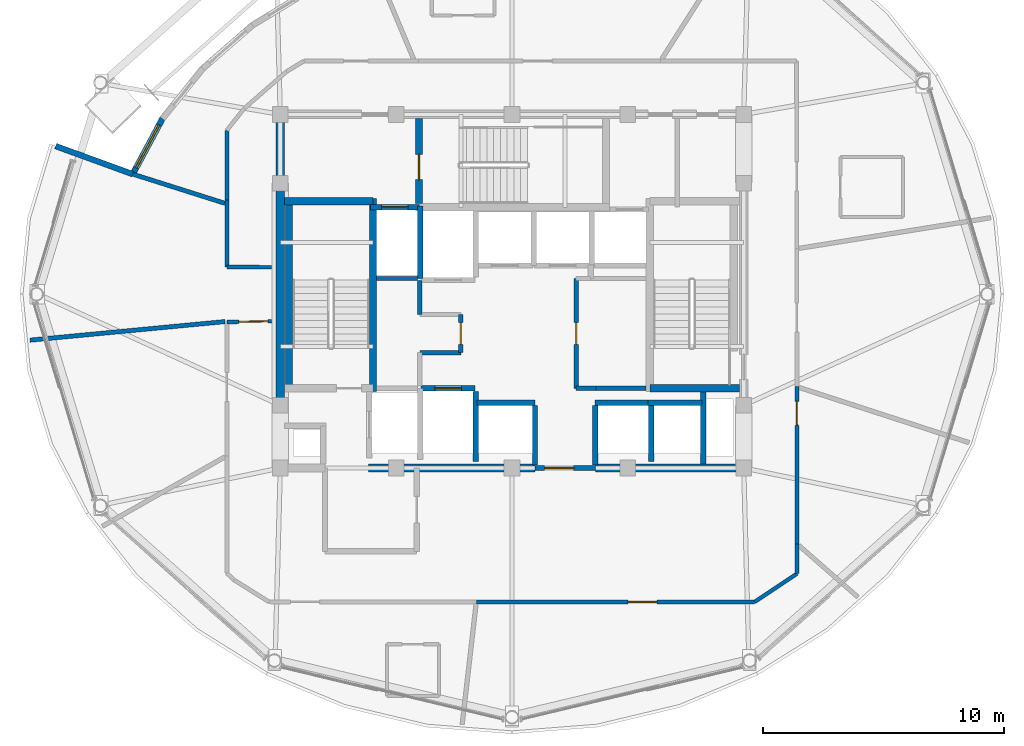
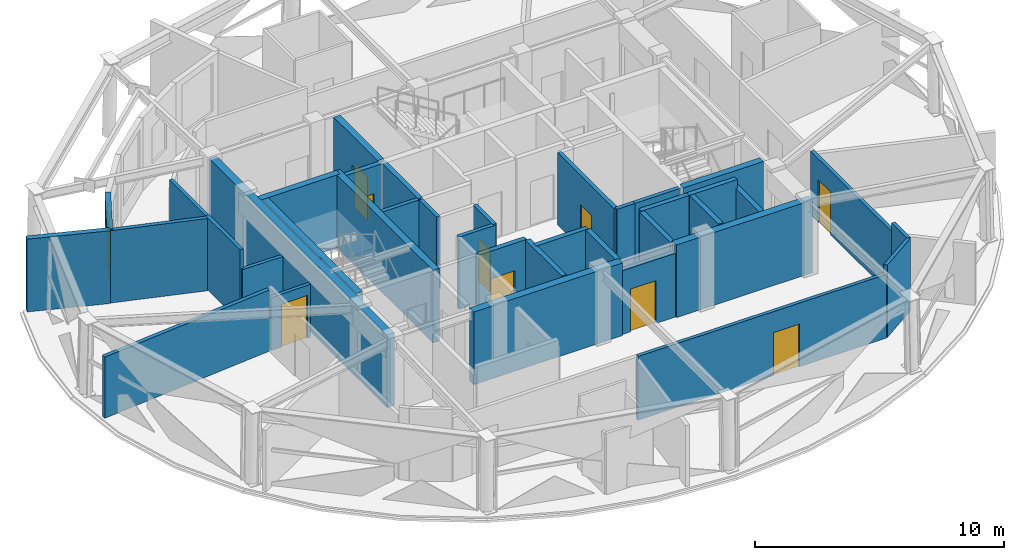
# One storey, part 8 of 14: 39 walls, 9 doors, 1 window, 10 openings.
"""IFC4 building model written with IfcOpenShell, lengths in metres."""

from ifc_helpers import new_model, si_unit, direction, frame, frame_2d, origin, place, context, subcontext, project, spatial, rectangle, extrude, material, layer, layer_set, type_object, element, fill, save


model = new_model("IFC4")

# Units and contexts
model_context = context("Model", 3, precision=1e-05, world=origin(), true_north=direction((0.0, 1.0)))
body_context = subcontext(model_context, "Body", "Model", "MODEL_VIEW")
ifc_project = project(units=[si_unit("LENGTHUNIT", "METRE"), si_unit("AREAUNIT", "SQUARE_METRE"), si_unit("VOLUMEUNIT", "CUBIC_METRE"), si_unit("PLANEANGLEUNIT", "RADIAN"), si_unit("MASSUNIT", "GRAM", prefix="KILO")], contexts=[model_context])

# Site, building, storey
site_placement = place(None, origin())
site = spatial("IfcSite", under=ifc_project, at=site_placement, CompositionType="ELEMENT")
building_placement = place(site_placement, origin())
building = spatial("IfcBuilding", under=site, at=building_placement, Name="Vantalir Tower", CompositionType="ELEMENT")
storey_placement = place(building_placement, frame((0.0, 0.0, 271.35009765625)))
storey = spatial("IfcBuildingStorey", under=building, at=storey_placement, Name="L68", CompositionType="ELEMENT", Elevation=271.35009765625)

# Walls
ifc_material_1 = material(Name="Concrete C50/60", Category="concrete")
ifc_layer_1 = layer(ifc_material_1, 0.35009765625)
ifc_layer_set_1 = layer_set([ifc_layer_1], Name="Concrete C50/60")
wall_type_1 = type_object("IfcWallType", Name="WL-CORE-350", PredefinedType="SHEAR", material=ifc_layer_set_1)
wall_1_placement = place(storey_placement, frame((25.550048828125, 17.800048828125, 0.0), z_axis=(0.0, 0.0, 1.0), x_axis=(1.0, 0.0, 0.0)))
element("IfcWall", 1, at=wall_1_placement, inside=storey, type_object=wall_type_1, Name="L68 Core Shear Wall South-Mid", PredefinedType="SHEAR", context=body_context, shape_type="SweptSolid", body=[
    extrude(rectangle(XDim=6.89990234375, YDim=0.35009765625, at=frame_2d((3.449951171875, 0.0))), origin(), (0.0, 0.0, 1.0), 3.56982421875),
])
wall_2_placement = place(storey_placement, frame((34.949951171875, 17.800048828125, 0.0), z_axis=(0.0, 0.0, 1.0), x_axis=(1.0, 0.0, 0.0)))
element("IfcWall", 2, at=wall_2_placement, inside=storey, type_object=wall_type_1, Name="L68 Core Shear Wall South-East", PredefinedType="SHEAR", context=body_context, shape_type="SweptSolid", body=[
    extrude(rectangle(XDim=6.324951171875, YDim=0.35009765625, at=frame_2d((3.16259765625, 0.0))), origin(), (0.0, 0.0, 1.0), 3.56982421875),
])
wall_3_placement = place(storey_placement, frame((21.89990234375, 17.97509765625, 0.0), z_axis=(0.0, 0.0, 1.0), x_axis=(0.0, 1.0, 0.0)))
element("IfcWall", 3, at=wall_3_placement, inside=storey, type_object=wall_type_1, Name="L68 Core Shear Wall West", PredefinedType="SHEAR", context=body_context, shape_type="SweptSolid", body=[
    extrude(rectangle(XDim=14.2998046875, YDim=0.35009765625, at=frame_2d((7.14990234375, 0.0))), origin(), (0.0, 0.0, 1.0), 3.56982421875),
])
ifc_material_2 = material(Name="Fire-rated hotel corridor acoustic partition", Category="gypsum")
ifc_layer_2 = layer(ifc_material_2, 0.159912109375)
ifc_layer_set_2 = layer_set([ifc_layer_2], Name="Fire-rated hotel corridor acoustic partition")
wall_type_2 = type_object("IfcWallType", Name="WL-CORR-160", PredefinedType="PARTITIONING", material=ifc_layer_set_2)
wall_4_placement = place(storey_placement, frame((21.544921875, 26.115966796875, 0.0), z_axis=(0.0, 0.0, 1.0), x_axis=(-0.999947421001, 0.010254522592, 0.0)))
element("IfcWall", 4, at=wall_4_placement, inside=storey, type_object=wall_type_2, Name="L68 Corridor Partition 01", PredefinedType="PARTITIONING", context=body_context, shape_type="SweptSolid", body=[
    extrude(rectangle(XDim=1.85693359375, YDim=0.159912109375, at=frame_2d((0.928466796875, 0.0))), origin(), (0.0, 0.0, 1.0), 2.594970703125),
])
wall_5_placement = place(storey_placement, frame((19.68798828125, 26.135009765625, 0.0), z_axis=(0.0, 0.0, 1.0), x_axis=(-0.000353325656, 0.99999993758, 0.0)))
element("IfcWall", 5, at=wall_5_placement, inside=storey, type_object=wall_type_2, Name="L68 Corridor Partition 02", PredefinedType="PARTITIONING", context=body_context, shape_type="SweptSolid", body=[
    extrude(rectangle(XDim=2.763916015625, YDim=0.159912109375, at=frame_2d((1.3818359375, 0.0))), origin(), (0.0, 0.0, 1.0), 3.5498046875),
])
wall_6_placement = place(storey_placement, frame((19.68701171875, 28.89892578125, 0.0), z_axis=(0.0, 0.0, 1.0), x_axis=(-0.000674649872, 0.999999772424, 0.0)))
element("IfcWall", 6, at=wall_6_placement, inside=storey, type_object=wall_type_2, Name="L68 Corridor Partition 03", PredefinedType="PARTITIONING", context=body_context, shape_type="SweptSolid", body=[
    extrude(rectangle(XDim=2.89501953125, YDim=0.159912109375, at=frame_2d((1.447509765625, 0.0))), origin(), (0.0, 0.0, 1.0), 3.5498046875),
])

# Wall, opening, door
wall_7_placement = place(storey_placement, frame((43.302978515625, 21.16796875, 0.0), z_axis=(0.0, 0.0, 1.0), x_axis=(0.000787903556, -0.999999689604, 0.0)))
wall_7 = element("IfcWall", 7, at=wall_7_placement, inside=storey, type_object=wall_type_2, Name="L68 Corridor Partition 12", PredefinedType="PARTITIONING", context=body_context, shape_type="SweptSolid", body=[
    extrude(rectangle(XDim=6.507080078125, YDim=0.159912109375, at=frame_2d((3.25341796875, 0.0))), origin(), (0.0, 0.0, 1.0), 3.1318359375),
])
opening_1_placement = place(wall_7_placement, frame((0.60498046875, 0.0, 0.0)))
opening_1 = element("IfcOpeningElement", 8, at=opening_1_placement, cuts=wall_7, Name="Opening D-GUEST", PredefinedType="OPENING", context=body_context, shape_type="SweptSolid", body=[
    extrude(rectangle(XDim=1.0, YDim=2.10009765625, at=frame_2d((0.5, 1.050048828125))), frame((0.0, 0.08984375, 0.0), z_axis=(0.0, -1.0, 0.0), x_axis=(1.0, 0.0, 0.0)), (0.0, 0.0, 1.0), 0.179931640625),
])
ifc_material_3 = material(Name="Solid-core teak veneer acoustic fire door", Category="wood")
door_type_1 = type_object("IfcDoorType", Name="DR-GUEST-ENTRY-1000", OperationType="NOTDEFINED", PredefinedType="DOOR", material=ifc_material_3)
door_1_placement = place(opening_1_placement, origin())
door_1 = element("IfcDoor", 9, at=door_1_placement, inside=storey, type_object=door_type_1, Name="L68 Executive Business Study 08 Door", OperationType="SINGLE_SWING_LEFT", OverallHeight=2.10009765625, OverallWidth=1.0, PredefinedType="DOOR", context=body_context, shape_type="SweptSolid", body=[
    extrude(rectangle(XDim=1.0, YDim=2.10009765625, at=frame_2d((0.5, 1.050048828125))), frame((0.0, 0.02490234375, 0.0), z_axis=(0.0, -1.0, 0.0), x_axis=(1.0, 0.0, 0.0)), (0.0, 0.0, 1.0), 0.050048828125),
])
fill(opening_1, door_1)

# Walls
wall_8_placement = place(storey_placement, frame((43.30810546875, 14.660888671875, 0.0), z_axis=(0.0, 0.0, 1.0), x_axis=(0.000790826166, -0.999999687297, 0.0)))
element("IfcWall", 10, at=wall_8_placement, inside=storey, type_object=wall_type_2, Name="L68 Corridor Partition 13", PredefinedType="PARTITIONING", context=body_context, shape_type="SweptSolid", body=[
    extrude(rectangle(XDim=1.23486328125, YDim=0.159912109375, at=frame_2d((0.617431640625, 0.0))), origin(), (0.0, 0.0, 1.0), 3.5498046875),
])
wall_9_placement = place(storey_placement, frame((43.30908203125, 13.426025390625, 0.0), z_axis=(0.0, 0.0, 1.0), x_axis=(-0.831179139827, -0.556004709977, 0.0)))
element("IfcWall", 11, at=wall_9_placement, inside=storey, type_object=wall_type_2, Name="L68 Corridor Partition 14", PredefinedType="PARTITIONING", context=body_context, shape_type="SweptSolid", body=[
    extrude(rectangle(XDim=2.115234375, YDim=0.159912109375, at=frame_2d((1.0576171875, 0.0))), origin(), (0.0, 0.0, 1.0), 3.5498046875),
])

# Wall, opening, door
wall_10_placement = place(storey_placement, frame((41.551025390625, 12.25, 0.0), z_axis=(0.0, 0.0, 1.0), x_axis=(-0.999999942591, 0.000338846631, 0.0)))
wall_10 = element("IfcWall", 12, at=wall_10_placement, inside=storey, type_object=wall_type_2, Name="L68 Corridor Partition 15", PredefinedType="PARTITIONING", context=body_context, shape_type="SweptSolid", body=[
    extrude(rectangle(XDim=11.528076171875, YDim=0.159912109375, at=frame_2d((5.76416015625, 0.0))), origin(), (0.0, 0.0, 1.0), 3.1318359375),
])
opening_2_placement = place(wall_10_placement, frame((4.0439453125, 0.0, 0.0)))
opening_2 = element("IfcOpeningElement", 13, at=opening_2_placement, cuts=wall_10, Name="Opening D-STE", PredefinedType="OPENING", context=body_context, shape_type="SweptSolid", body=[
    extrude(rectangle(XDim=1.199951171875, YDim=2.10009765625, at=frame_2d((0.60009765625, 1.050048828125))), frame((0.0, 0.08984375, 0.0), z_axis=(0.0, -1.0, 0.0), x_axis=(1.0, 0.0, 0.0)), (0.0, 0.0, 1.0), 0.179931640625),
])
ifc_material_4 = material(Name="Solid-core teak veneer suite entrance door", Category="wood")
door_type_2 = type_object("IfcDoorType", Name="DR-SUITE-ENTRY-1200", OperationType="NOTDEFINED", PredefinedType="DOOR", material=ifc_material_4)
door_2_placement = place(opening_2_placement, origin())
door_2 = element("IfcDoor", 14, at=door_2_placement, inside=storey, type_object=door_type_2, Name="L68 Executive Sky Boardroom 07 Door", OperationType="SINGLE_SWING_RIGHT", OverallHeight=2.10009765625, OverallWidth=1.199951171875, PredefinedType="DOOR", context=body_context, shape_type="SweptSolid", body=[
    extrude(rectangle(XDim=1.199951171875, YDim=2.10009765625, at=frame_2d((0.60009765625, 1.050048828125))), frame((0.0, 0.02490234375, 0.0), z_axis=(0.0, -1.0, 0.0), x_axis=(1.0, 0.0, 0.0)), (0.0, 0.0, 1.0), 0.050048828125),
])
fill(opening_2, door_2)

wall_11_placement = place(storey_placement, frame((19.68505859375, 23.85009765625, 0.0), z_axis=(0.0, 0.0, 1.0), x_axis=(0.999852179606, 0.017193572529, 0.0)))
wall_11 = element("IfcWall", 15, at=wall_11_placement, inside=storey, type_object=wall_type_2, Name="L68 Corridor Partition 21", PredefinedType="PARTITIONING", context=body_context, shape_type="SweptSolid", body=[
    extrude(rectangle(XDim=1.860107421875, YDim=0.159912109375, at=frame_2d((0.93017578125, 0.0))), origin(), (0.0, 0.0, 1.0), 2.594970703125),
])
opening_3_placement = place(wall_11_placement, frame((0.5, 0.0, 0.0)))
opening_3 = element("IfcOpeningElement", 16, at=opening_3_placement, cuts=wall_11, Name="Opening D-STE", PredefinedType="OPENING", context=body_context, shape_type="SweptSolid", body=[
    extrude(rectangle(XDim=1.199951171875, YDim=2.10009765625, at=frame_2d((0.60009765625, 1.050048828125))), frame((0.0, 0.08984375, 0.0), z_axis=(0.0, -1.0, 0.0), x_axis=(1.0, 0.0, 0.0)), (0.0, 0.0, 1.0), 0.179931640625),
])
door_3_placement = place(opening_3_placement, origin())
door_3 = element("IfcDoor", 17, at=door_3_placement, inside=storey, type_object=door_type_2, Name="L68 Club Reading Lounge 04 Door", OperationType="SINGLE_SWING_LEFT", OverallHeight=2.10009765625, OverallWidth=1.199951171875, PredefinedType="DOOR", context=body_context, shape_type="SweptSolid", body=[
    extrude(rectangle(XDim=1.199951171875, YDim=2.10009765625, at=frame_2d((0.60009765625, 1.050048828125))), frame((0.0, 0.02490234375, 0.0), z_axis=(0.0, -1.0, 0.0), x_axis=(1.0, 0.0, 0.0)), (0.0, 0.0, 1.0), 0.050048828125),
])
fill(opening_3, door_3)

# Wall
ifc_material_5 = material(Name="Precast concrete C40/50 insulated sky-garden wall", Category="concrete")
ifc_layer_3 = layer(ifc_material_5, 0.239990234375)
ifc_layer_set_3 = layer_set([ifc_layer_3], Name="Precast concrete C40/50 insulated sky-garden wall")
wall_type_3 = type_object("IfcWallType", Name="WL-EXT-SG-240", PredefinedType="SOLIDWALL", material=ifc_layer_set_3)
wall_12_placement = place(storey_placement, frame((15.7880859375, 29.97607421875, 0.0), z_axis=(0.0, 0.0, 1.0), x_axis=(-0.939699046647, 0.342002487902, 0.0)))
element("IfcWall", 18, at=wall_12_placement, inside=storey, type_object=wall_type_3, Name="L68 SG4 Sky-Garden Return Wall B", PredefinedType="SOLIDWALL", context=body_context, shape_type="SweptSolid", body=[
    extrude(rectangle(XDim=3.400146484375, YDim=0.239990234375, at=frame_2d((1.7001953125, 0.0))), origin(), (0.0, 0.0, 1.0), 3.56982421875),
])

# Wall, opening, window
wall_13_placement = place(storey_placement, frame((17.02001953125, 32.27392578125, 0.0), z_axis=(0.0, 0.0, 1.0), x_axis=(-0.472502026954, -0.881329583371, 0.0)))
wall_13 = element("IfcWall", 19, at=wall_13_placement, inside=storey, type_object=wall_type_3, Name="L68 SG4 Sky-Garden Lounge Wall 5", PredefinedType="SOLIDWALL", context=body_context, shape_type="SweptSolid", body=[
    extrude(rectangle(XDim=2.607177734375, YDim=0.239990234375, at=frame_2d((1.3037109375, 0.0))), origin(), (0.0, 0.0, 1.0), 3.56982421875),
])
opening_4_placement = place(wall_13_placement, frame((0.303955078125, 0.0, 0.85009765625)))
opening_4 = element("IfcOpeningElement", 20, at=opening_4_placement, cuts=wall_13, Name="Opening WN-3", PredefinedType="OPENING", context=body_context, shape_type="SweptSolid", body=[
    extrude(rectangle(XDim=2.0, YDim=2.39990234375, at=frame_2d((1.0, 1.199951171875))), frame((0.0, 0.1298828125, 0.0), z_axis=(0.0, -1.0, 0.0), x_axis=(1.0, 0.0, 0.0)), (0.0, 0.0, 1.0), 0.260009765625),
])
ifc_material_6 = material(Name="Double-silver Low-E sky-garden lounge window", Category="glass")
window_type = type_object("IfcWindowType", Name="WIN-SG-2000x2400", PartitioningType="SINGLE_PANEL", PredefinedType="WINDOW", material=ifc_material_6)
window_placement = place(opening_4_placement, origin())
window = element("IfcWindow", 21, at=window_placement, inside=storey, type_object=window_type, Name="L68 SG4 Sky-Garden Window 5", OverallHeight=2.39990234375, OverallWidth=2.0, PartitioningType="SINGLE_PANEL", PredefinedType="WINDOW", context=body_context, shape_type="SweptSolid", body=[
    extrude(rectangle(XDim=2.0, YDim=2.39990234375, at=frame_2d((1.0, 1.199951171875))), frame((0.0, 0.030029296875, 0.0), z_axis=(0.0, -1.0, 0.0), x_axis=(1.0, 0.0, 0.0)), (0.0, 0.0, 1.0), 0.06005859375),
])
fill(opening_4, window)

# Walls
ifc_material_7 = material(Name="Concrete blockwork with fireboard lining", Category="masonry")
ifc_layer_4 = layer(ifc_material_7, 0.219970703125)
ifc_layer_set_4 = layer_set([ifc_layer_4], Name="Concrete blockwork with fireboard lining")
wall_type_4 = type_object("IfcWallType", Name="WL-FFL-220", PredefinedType="PARTITIONING", material=ifc_layer_set_4)
wall_14_placement = place(storey_placement, frame((30.0, 18.080078125, 0.0), z_axis=(0.0, 0.0, 1.0), x_axis=(0.0, 1.0, 0.0)))
element("IfcWall", 22, at=wall_14_placement, inside=storey, type_object=wall_type_4, Name="L68 Service Lift SV1 East Shaft Wall", PredefinedType="PARTITIONING", context=body_context, shape_type="SweptSolid", body=[
    extrude(rectangle(XDim=2.89990234375, YDim=0.219970703125, at=frame_2d((1.449951171875, 0.0))), origin(), (0.0, 0.0, 1.0), 3.544921875),
])
for number, where, z_axis, x_axis, name in (
    (23, (32.449951171875, 17.919921875, 0.0), (0.0, 0.0, 1.0), (0.0, 1.0, 0.0), "L68 Shuttle Lift PL-X1 East Shaft Cheek"),
    (24, (34.949951171875, 17.919921875, 0.0), (0.0, 0.0, 1.0), (0.0, 1.0, 0.0), "L68 Shuttle Lift PL-X3 West Shaft Cheek"),
):
    element("IfcWall", number, at=place(storey_placement, frame(where, z_axis=z_axis, x_axis=x_axis)), inside=storey, type_object=wall_type_4, Name=name, PredefinedType="PARTITIONING", context=body_context, shape_type="SweptSolid", body=[
        extrude(rectangle(XDim=2.469970703125, YDim=0.219970703125, at=frame_2d((1.23486328125, 0.0))), origin(), (0.0, 0.0, 1.0), 3.544921875),
    ])
wall_15_placement = place(storey_placement, frame((37.27490234375, 18.080078125, 0.0), z_axis=(0.0, 0.0, 1.0), x_axis=(0.0, 1.0, 0.0)))
element("IfcWall", 25, at=wall_15_placement, inside=storey, type_object=wall_type_4, Name="L68 Shuttle Lift PL-X2/X3 Shaft Divider", PredefinedType="PARTITIONING", context=body_context, shape_type="SweptSolid", body=[
    extrude(rectangle(XDim=2.309814453125, YDim=0.219970703125, at=frame_2d((1.15478515625, 0.0))), origin(), (0.0, 0.0, 1.0), 3.544921875),
])

# Wall, opening, door
wall_16_placement = place(storey_placement, frame((32.449951171875, 17.800048828125, 0.0), z_axis=(0.0, 0.0, 1.0), x_axis=(1.0, 0.0, 0.0)))
wall_16 = element("IfcWall", 26, at=wall_16_placement, inside=storey, type_object=wall_type_4, Name="L68 Passenger Lift Lobby South Wall", PredefinedType="PARTITIONING", context=body_context, shape_type="SweptSolid", body=[
    extrude(rectangle(XDim=2.5, YDim=0.219970703125, at=frame_2d((1.25, 0.0))), origin(), (0.0, 0.0, 1.0), 3.1318359375),
])
opening_5_placement = place(wall_16_placement, frame((0.39990234375, 0.0, 0.0)))
opening_5 = element("IfcOpeningElement", 27, at=opening_5_placement, cuts=wall_16, Name="Opening D-STE", PredefinedType="OPENING", context=body_context, shape_type="SweptSolid", body=[
    extrude(rectangle(XDim=1.199951171875, YDim=2.10009765625, at=frame_2d((0.60009765625, 1.050048828125))), frame((0.0, 0.119873046875, 0.0), z_axis=(0.0, -1.0, 0.0), x_axis=(1.0, 0.0, 0.0)), (0.0, 0.0, 1.0), 0.239990234375),
])
door_4_placement = place(opening_5_placement, origin())
door_4 = element("IfcDoor", 28, at=door_4_placement, inside=storey, type_object=door_type_2, Name="L68 Passenger Lift Lobby Concourse Door", OperationType="SINGLE_SWING_LEFT", OverallHeight=2.10009765625, OverallWidth=1.199951171875, PredefinedType="DOOR", context=body_context, shape_type="SweptSolid", body=[
    extrude(rectangle(XDim=1.199951171875, YDim=2.10009765625, at=frame_2d((0.60009765625, 1.050048828125))), frame((0.0, 0.02490234375, 0.0), z_axis=(0.0, -1.0, 0.0), x_axis=(1.0, 0.0, 0.0)), (0.0, 0.0, 1.0), 0.050048828125),
])
fill(opening_5, door_4)

# Wall
wall_17_placement = place(storey_placement, frame((39.419921875, 17.97509765625, 0.0), z_axis=(0.0, 0.0, 1.0), x_axis=(0.0, 1.0, 0.0)))
element("IfcWall", 29, at=wall_17_placement, inside=storey, type_object=wall_type_4, Name="L68 East MEP Riser Wall W", PredefinedType="PARTITIONING", context=body_context, shape_type="SweptSolid", body=[
    extrude(rectangle(XDim=2.974853515625, YDim=0.219970703125, at=frame_2d((1.4873046875, 0.0))), origin(), (0.0, 0.0, 1.0), 3.1318359375),
])

# Wall, opening, door
wall_18_placement = place(storey_placement, frame((25.639892578125, 28.610107421875, 0.0), z_axis=(0.0, 0.0, 1.0), x_axis=(1.0, 0.0, 0.0)))
wall_18 = element("IfcWall", 30, at=wall_18_placement, inside=storey, type_object=wall_type_4, Name="L68 Lift FL2 Shaft Front Wall", PredefinedType="PARTITIONING", context=body_context, shape_type="SweptSolid", body=[
    extrude(rectangle(XDim=2.02001953125, YDim=0.219970703125, at=frame_2d((1.010009765625, 0.0))), origin(), (0.0, 0.0, 1.0), 3.5498046875),
])
opening_6_placement = place(wall_18_placement, frame((0.4599609375, 0.0, 0.0)))
opening_6 = element("IfcOpeningElement", 31, at=opening_6_placement, cuts=wall_18, Name="Opening LD-FL2", PredefinedType="OPENING", context=body_context, shape_type="SweptSolid", body=[
    extrude(rectangle(XDim=1.10009765625, YDim=2.199951171875, at=frame_2d((0.550048828125, 1.10009765625))), frame((0.0, 0.119873046875, 0.0), z_axis=(0.0, -1.0, 0.0), x_axis=(1.0, 0.0, 0.0)), (0.0, 0.0, 1.0), 0.239990234375),
])
ifc_material_8 = material(Name="Brushed stainless-steel sliding lift landing door", Category="steel")
door_type_3 = type_object("IfcDoorType", Name="DR-LIFT-LANDING-1100", OperationType="DOUBLE_DOOR_SLIDING", PredefinedType="DOOR", material=ifc_material_8)
door_5_placement = place(opening_6_placement, origin())
door_5 = element("IfcDoor", 32, at=door_5_placement, inside=storey, type_object=door_type_3, Name="L68 Lift Landing Door FL2", OperationType="DOUBLE_DOOR_SLIDING", OverallHeight=2.199951171875, OverallWidth=1.10009765625, PredefinedType="DOOR", context=body_context, shape_type="SweptSolid", body=[
    extrude(rectangle(XDim=1.10009765625, YDim=2.199951171875, at=frame_2d((0.550048828125, 1.10009765625))), frame((0.0, 0.02490234375, 0.0), z_axis=(0.0, -1.0, 0.0), x_axis=(1.0, 0.0, 0.0)), (0.0, 0.0, 1.0), 0.050048828125),
])
fill(opening_6, door_5)

wall_19_placement = place(storey_placement, frame((27.739990234375, 21.110107421875, 0.0), z_axis=(0.0, 0.0, 1.0), x_axis=(1.0, 0.0, 0.0)))
wall_19 = element("IfcWall", 33, at=wall_19_placement, inside=storey, type_object=wall_type_4, Name="L68 Lift SV1 Shaft Front Wall", PredefinedType="PARTITIONING", context=body_context, shape_type="SweptSolid", body=[
    extrude(rectangle(XDim=2.219970703125, YDim=0.219970703125, at=frame_2d((1.10986328125, 0.0))), origin(), (0.0, 0.0, 1.0), 3.5498046875),
])
opening_7_placement = place(wall_19_placement, frame((0.56005859375, 0.0, 0.0)))
opening_7 = element("IfcOpeningElement", 34, at=opening_7_placement, cuts=wall_19, Name="Opening LD-SV1", PredefinedType="OPENING", context=body_context, shape_type="SweptSolid", body=[
    extrude(rectangle(XDim=1.10009765625, YDim=2.199951171875, at=frame_2d((0.550048828125, 1.10009765625))), frame((0.0, 0.119873046875, 0.0), z_axis=(0.0, -1.0, 0.0), x_axis=(1.0, 0.0, 0.0)), (0.0, 0.0, 1.0), 0.239990234375),
])
door_6_placement = place(opening_7_placement, origin())
door_6 = element("IfcDoor", 35, at=door_6_placement, inside=storey, type_object=door_type_3, Name="L68 Lift Landing Door SV1", OperationType="DOUBLE_DOOR_SLIDING", OverallHeight=2.199951171875, OverallWidth=1.10009765625, PredefinedType="DOOR", context=body_context, shape_type="SweptSolid", body=[
    extrude(rectangle(XDim=1.10009765625, YDim=2.199951171875, at=frame_2d((0.550048828125, 1.10009765625))), frame((0.0, 0.02490234375, 0.0), z_axis=(0.0, -1.0, 0.0), x_axis=(1.0, 0.0, 0.0)), (0.0, 0.0, 1.0), 0.050048828125),
])
fill(opening_7, door_6)

# Walls
wall_20_placement = place(storey_placement, frame((30.0400390625, 20.510009765625, 0.0), z_axis=(0.0, 0.0, 1.0), x_axis=(1.0, 0.0, 0.0)))
element("IfcWall", 36, at=wall_20_placement, inside=storey, type_object=wall_type_4, Name="L68 Lift PL-X1 Shaft Front Wall", PredefinedType="PARTITIONING", context=body_context, shape_type="SweptSolid", body=[
    extrude(rectangle(XDim=2.419921875, YDim=0.219970703125, at=frame_2d((1.2099609375, 0.0))), origin(), (0.0, 0.0, 1.0), 3.5498046875),
])
for number, where, z_axis, x_axis, name in (
    (37, (37.139892578125, 20.510009765625, 0.0), (0.0, 0.0, 1.0), (1.0, 0.0, 0.0), "L68 Lift PL-X2 Shaft Rear Wall"),
    (38, (34.93994140625, 20.510009765625, 0.0), (0.0, 0.0, 1.0), (1.0, 0.0, 0.0), "L68 Lift PL-X3 Shaft Front Wall"),
):
    element("IfcWall", number, at=place(storey_placement, frame(where, z_axis=z_axis, x_axis=x_axis)), inside=storey, type_object=wall_type_4, Name=name, PredefinedType="PARTITIONING", context=body_context, shape_type="SweptSolid", body=[
        extrude(rectangle(XDim=2.239990234375, YDim=0.219970703125, at=frame_2d((1.1201171875, 0.0))), origin(), (0.0, 0.0, 1.0), 3.5498046875),
    ])
wall_21_placement = place(storey_placement, frame((27.699951171875, 25.64990234375, 0.0), z_axis=(0.0, 0.0, 1.0), x_axis=(0.0, 1.0, 0.0)))
element("IfcWall", 39, at=wall_21_placement, inside=storey, type_object=wall_type_4, Name="L68 Fire Lift FL2 Dividing Wall", PredefinedType="PARTITIONING", context=body_context, shape_type="SweptSolid", body=[
    extrude(rectangle(XDim=3.0, YDim=0.219970703125, at=frame_2d((1.5, 0.0))), origin(), (0.0, 0.0, 1.0), 3.5498046875),
])
ifc_material_9 = material(Name="Twin-stud acoustic fire-rated gypsum partition", Category="gypsum")
ifc_layer_5 = layer(ifc_material_9, 0.179931640625)
ifc_layer_set_5 = layer_set([ifc_layer_5], Name="Twin-stud acoustic fire-rated gypsum partition")
wall_type_5 = type_object("IfcWallType", Name="WL-GUEST-180", PredefinedType="PARTITIONING", material=ifc_layer_set_5)
wall_22_placement = place(storey_placement, frame((25.889892578125, 25.64990234375, 0.0), z_axis=(0.0, 0.0, 1.0), x_axis=(1.0, 0.0, 0.0)))
element("IfcWall", 40, at=wall_22_placement, inside=storey, type_object=wall_type_5, Name="L68 Freed West Core North Wall", PredefinedType="PARTITIONING", context=body_context, shape_type="SweptSolid", body=[
    extrude(rectangle(XDim=1.7001953125, YDim=0.179931640625, at=frame_2d((0.85009765625, 0.0))), origin(), (0.0, 0.0, 1.0), 3.5498046875),
])
wall_23_placement = place(storey_placement, frame((27.679931640625, 22.580078125, 0.0), z_axis=(0.0, 0.0, 1.0), x_axis=(1.0, 0.0, 0.0)))
element("IfcWall", 41, at=wall_23_placement, inside=storey, type_object=wall_type_5, Name="L68 West IT Room Alcove South Wall", PredefinedType="PARTITIONING", context=body_context, shape_type="SweptSolid", body=[
    extrude(rectangle(XDim=1.699951171875, YDim=0.179931640625, at=frame_2d((0.85009765625, 0.0))), origin(), (0.0, 0.0, 1.0), 3.5498046875),
])

# Wall, opening, door
wall_24_placement = place(storey_placement, frame((29.3798828125, 22.580078125, 0.0), z_axis=(0.0, 0.0, 1.0), x_axis=(0.0, 1.0, 0.0)))
wall_24 = element("IfcWall", 42, at=wall_24_placement, inside=storey, type_object=wall_type_5, Name="L68 West IT Room Alcove East Wall", PredefinedType="PARTITIONING", context=body_context, shape_type="SweptSolid", body=[
    extrude(rectangle(XDim=1.579833984375, YDim=0.179931640625, at=frame_2d((0.7900390625, 0.0))), origin(), (0.0, 0.0, 1.0), 3.5498046875),
])
opening_8_placement = place(wall_24_placement, frame((0.340087890625, 0.0, 0.0)))
opening_8 = element("IfcOpeningElement", 43, at=opening_8_placement, cuts=wall_24, Name="Opening D-CR", PredefinedType="OPENING", context=body_context, shape_type="SweptSolid", body=[
    extrude(rectangle(XDim=0.89990234375, YDim=2.10009765625, at=frame_2d((0.449951171875, 1.050048828125))), frame((0.0, 0.099853515625, 0.0), z_axis=(0.0, -1.0, 0.0), x_axis=(1.0, 0.0, 0.0)), (0.0, 0.0, 1.0), 0.199951171875),
])
ifc_material_10 = material(Name="Fire-rated steel core service door", Category="steel")
door_type_4 = type_object("IfcDoorType", Name="DR-CORE-SERV-900", OperationType="NOTDEFINED", PredefinedType="DOOR", material=ifc_material_10)
door_7_placement = place(opening_8_placement, origin())
door_7 = element("IfcDoor", 44, at=door_7_placement, inside=storey, type_object=door_type_4, Name="L68 Core IT Comms Door", OperationType="SINGLE_SWING_RIGHT", OverallHeight=2.10009765625, OverallWidth=0.89990234375, PredefinedType="DOOR", context=body_context, shape_type="SweptSolid", body=[
    extrude(rectangle(XDim=0.89990234375, YDim=2.10009765625, at=frame_2d((0.449951171875, 1.050048828125))), frame((0.0, 0.02490234375, 0.0), z_axis=(0.0, -1.0, 0.0), x_axis=(1.0, 0.0, 0.0)), (0.0, 0.0, 1.0), 0.050048828125),
])
fill(opening_8, door_7)

# Walls
wall_25_placement = place(storey_placement, frame((27.679931640625, 24.159912109375, 0.0), z_axis=(0.0, 0.0, 1.0), x_axis=(0.0, 1.0, 0.0)))
element("IfcWall", 45, at=wall_25_placement, inside=storey, type_object=wall_type_5, Name="L68 West IT Room Upper East Wall", PredefinedType="PARTITIONING", context=body_context, shape_type="SweptSolid", body=[
    extrude(rectangle(XDim=1.400146484375, YDim=0.179931640625, at=frame_2d((0.7001953125, 0.0))), origin(), (0.0, 0.0, 1.0), 3.5498046875),
])
wall_26_placement = place(storey_placement, frame((34.97998046875, 21.10009765625, 0.0), z_axis=(0.0, 0.0, 1.0), x_axis=(1.0, 0.0, 0.0)))
element("IfcWall", 46, at=wall_26_placement, inside=storey, type_object=wall_type_5, Name="L68 Freed East Core South Wall", PredefinedType="PARTITIONING", context=body_context, shape_type="SweptSolid", body=[
    extrude(rectangle(XDim=2.080078125, YDim=0.179931640625, at=frame_2d((1.0400390625, 0.0))), origin(), (0.0, 0.0, 1.0), 3.5498046875),
])
wall_27_placement = place(storey_placement, frame((34.159912109375, 21.10009765625, 0.0), z_axis=(0.0, 0.0, 1.0), x_axis=(1.0, 0.0, 0.0)))
element("IfcWall", 47, at=wall_27_placement, inside=storey, type_object=wall_type_5, Name="L68 East IT Room South Return", PredefinedType="PARTITIONING", context=body_context, shape_type="SweptSolid", body=[
    extrude(rectangle(XDim=0.820068359375, YDim=0.179931640625, at=frame_2d((0.41015625, 0.0))), origin(), (0.0, 0.0, 1.0), 3.5498046875),
])

# Wall, opening, door
wall_28_placement = place(storey_placement, frame((34.159912109375, 21.10009765625, 0.0), z_axis=(0.0, 0.0, 1.0), x_axis=(0.0, 1.0, 0.0)))
wall_28 = element("IfcWall", 48, at=wall_28_placement, inside=storey, type_object=wall_type_5, Name="L68 East IT Room West Wall", PredefinedType="PARTITIONING", context=body_context, shape_type="SweptSolid", body=[
    extrude(rectangle(XDim=4.5498046875, YDim=0.179931640625, at=frame_2d((2.27490234375, 0.0))), origin(), (0.0, 0.0, 1.0), 3.5498046875),
])
opening_9_placement = place(wall_28_placement, frame((1.824951171875, 0.0, 0.0)))
opening_9 = element("IfcOpeningElement", 49, at=opening_9_placement, cuts=wall_28, Name="Opening D-CR", PredefinedType="OPENING", context=body_context, shape_type="SweptSolid", body=[
    extrude(rectangle(XDim=0.89990234375, YDim=2.10009765625, at=frame_2d((0.449951171875, 1.050048828125))), frame((0.0, 0.099853515625, 0.0), z_axis=(0.0, -1.0, 0.0), x_axis=(1.0, 0.0, 0.0)), (0.0, 0.0, 1.0), 0.199951171875),
])
door_8_placement = place(opening_9_placement, frame((0.89990234375, 0.0, 0.0), z_axis=(0.0, 0.0, 1.0), x_axis=(-1.0, 0.0, 0.0)))
door_8 = element("IfcDoor", 50, at=door_8_placement, inside=storey, type_object=door_type_4, Name="L68 Core Data Switchroom Door", OperationType="SINGLE_SWING_RIGHT", OverallHeight=2.10009765625, OverallWidth=0.89990234375, PredefinedType="DOOR", context=body_context, shape_type="SweptSolid", body=[
    extrude(rectangle(XDim=0.89990234375, YDim=2.10009765625, at=frame_2d((0.449951171875, 1.050048828125))), frame((0.0, 0.02490234375, 0.0), z_axis=(0.0, -1.0, 0.0), x_axis=(1.0, 0.0, 0.0)), (0.0, 0.0, 1.0), 0.050048828125),
])
fill(opening_9, door_8)

# Walls
wall_29_placement = place(storey_placement, frame((19.610107421875, 28.76611328125, 0.0), z_axis=(0.0, 0.0, 1.0), x_axis=(-0.953367052014, 0.301813293502, 0.0)))
element("IfcWall", 51, at=wall_29_placement, inside=storey, type_object=wall_type_5, Name="L68 Radial Suite Partition 04", PredefinedType="PARTITIONING", context=body_context, shape_type="SweptSolid", body=[
    extrude(rectangle(XDim=4.009033203125, YDim=0.179931640625, at=frame_2d((2.00439453125, 0.0))), origin(), (0.0, 0.0, 1.0), 3.5498046875),
])
wall_30_placement = place(storey_placement, frame((19.611083984375, 23.866943359375, 0.0), z_axis=(0.0, 0.0, 1.0), x_axis=(-0.995494121282, -0.094823280337, 0.0)))
element("IfcWall", 52, at=wall_30_placement, inside=storey, type_object=wall_type_5, Name="L68 Radial Suite Partition 05", PredefinedType="PARTITIONING", context=body_context, shape_type="SweptSolid", body=[
    extrude(rectangle(XDim=8.12060546875, YDim=0.179931640625, at=frame_2d((4.060302734375, 0.0))), origin(), (0.0, 0.0, 1.0), 3.0029296875),
])
ifc_layer_6 = layer(ifc_material_1, 0.300048828125)
ifc_layer_set_6 = layer_set([ifc_layer_6], Name="Concrete C50/60")
wall_type_6 = type_object("IfcWallType", Name="WL-STAIR-300", PredefinedType="SHEAR", material=ifc_layer_set_6)
wall_31_placement = place(storey_placement, frame((22.074951171875, 28.85009765625, 0.0), z_axis=(0.0, 0.0, 1.0), x_axis=(1.0, 0.0, 0.0)))
element("IfcWall", 53, at=wall_31_placement, inside=storey, type_object=wall_type_6, Name="L68 Stair ST1 North Wall", PredefinedType="SHEAR", context=body_context, shape_type="SweptSolid", body=[
    extrude(rectangle(XDim=3.6650390625, YDim=0.300048828125, at=frame_2d((1.83251953125, 0.0))), origin(), (0.0, 0.0, 1.0), 3.56982421875),
])
wall_32_placement = place(storey_placement, frame((25.739990234375, 20.97998046875, 0.0), z_axis=(0.0, 0.0, 1.0), x_axis=(0.0, 1.0, 0.0)))
element("IfcWall", 54, at=wall_32_placement, inside=storey, type_object=wall_type_6, Name="L68 Stair ST1 East Wall", PredefinedType="SHEAR", context=body_context, shape_type="SweptSolid", body=[
    extrude(rectangle(XDim=7.989990234375, YDim=0.300048828125, at=frame_2d((3.9951171875, 0.0))), origin(), (0.0, 0.0, 1.0), 3.56982421875),
])
wall_33_placement = place(storey_placement, frame((22.260009765625, 21.10009765625, 0.0), z_axis=(0.0, 0.0, 1.0), x_axis=(0.0, 1.0, 0.0)))
element("IfcWall", 55, at=wall_33_placement, inside=storey, type_object=wall_type_6, Name="L68 Stair ST1 West Liner Wall", PredefinedType="SHEAR", context=body_context, shape_type="SweptSolid", body=[
    extrude(rectangle(XDim=7.75, YDim=0.300048828125, at=frame_2d((3.875, 0.0))), origin(), (0.0, 0.0, 1.0), 3.56982421875),
])
wall_34_placement = place(storey_placement, frame((37.2099609375, 21.10009765625, 0.0), z_axis=(0.0, 0.0, 1.0), x_axis=(1.0, 0.0, 0.0)))
element("IfcWall", 56, at=wall_34_placement, inside=storey, type_object=wall_type_6, Name="L68 Stair ST2 South Wall", PredefinedType="SHEAR", context=body_context, shape_type="SweptSolid", body=[
    extrude(rectangle(XDim=3.715087890625, YDim=0.300048828125, at=frame_2d((1.857421875, 0.0))), origin(), (0.0, 0.0, 1.0), 3.56982421875),
])

# Wall, opening, door
wall_35_placement = place(storey_placement, frame((27.64990234375, 28.75, 0.0), z_axis=(0.0, 0.0, 1.0), x_axis=(0.0, 1.0, 0.0)))
wall_35 = element("IfcWall", 57, at=wall_35_placement, inside=storey, type_object=wall_type_6, Name="L68 Stair ST3 West Wall", PredefinedType="SHEAR", context=body_context, shape_type="SweptSolid", body=[
    extrude(rectangle(XDim=3.52490234375, YDim=0.300048828125, at=frame_2d((1.762451171875, 0.0))), origin(), (0.0, 0.0, 1.0), 3.56982421875),
])
opening_10_placement = place(wall_35_placement, frame((1.0, 0.0, 0.0)))
opening_10 = element("IfcOpeningElement", 58, at=opening_10_placement, cuts=wall_35, Name="Opening D-ST", PredefinedType="OPENING", context=body_context, shape_type="SweptSolid", body=[
    extrude(rectangle(XDim=1.050048828125, YDim=2.10009765625, at=frame_2d((0.52490234375, 1.050048828125))), frame((0.0, 0.159912109375, 0.0), z_axis=(0.0, -1.0, 0.0), x_axis=(1.0, 0.0, 0.0)), (0.0, 0.0, 1.0), 0.320068359375),
])
ifc_material_11 = material(Name="Fire-rated steel door leaf", Category="steel")
door_type_5 = type_object("IfcDoorType", Name="DR-FIRE-STAIR-1050", OperationType="NOTDEFINED", PredefinedType="DOOR", material=ifc_material_11)
door_9_placement = place(opening_10_placement, frame((1.050048828125, 0.0, 0.0), z_axis=(0.0, 0.0, 1.0), x_axis=(-1.0, 0.0, 0.0)))
door_9 = element("IfcDoor", 59, at=door_9_placement, inside=storey, type_object=door_type_5, Name="L68 Exit Stair ST3 Fire Door", OperationType="SINGLE_SWING_LEFT", OverallHeight=2.10009765625, OverallWidth=1.050048828125, PredefinedType="DOOR", context=body_context, shape_type="SweptSolid", body=[
    extrude(rectangle(XDim=1.050048828125, YDim=2.10009765625, at=frame_2d((0.52490234375, 1.050048828125))), frame((0.0, 0.02490234375, 0.0), z_axis=(0.0, -1.0, 0.0), x_axis=(1.0, 0.0, 0.0)), (0.0, 0.0, 1.0), 0.050048828125),
])
fill(opening_10, door_9)

save(model, "model.ifc")
